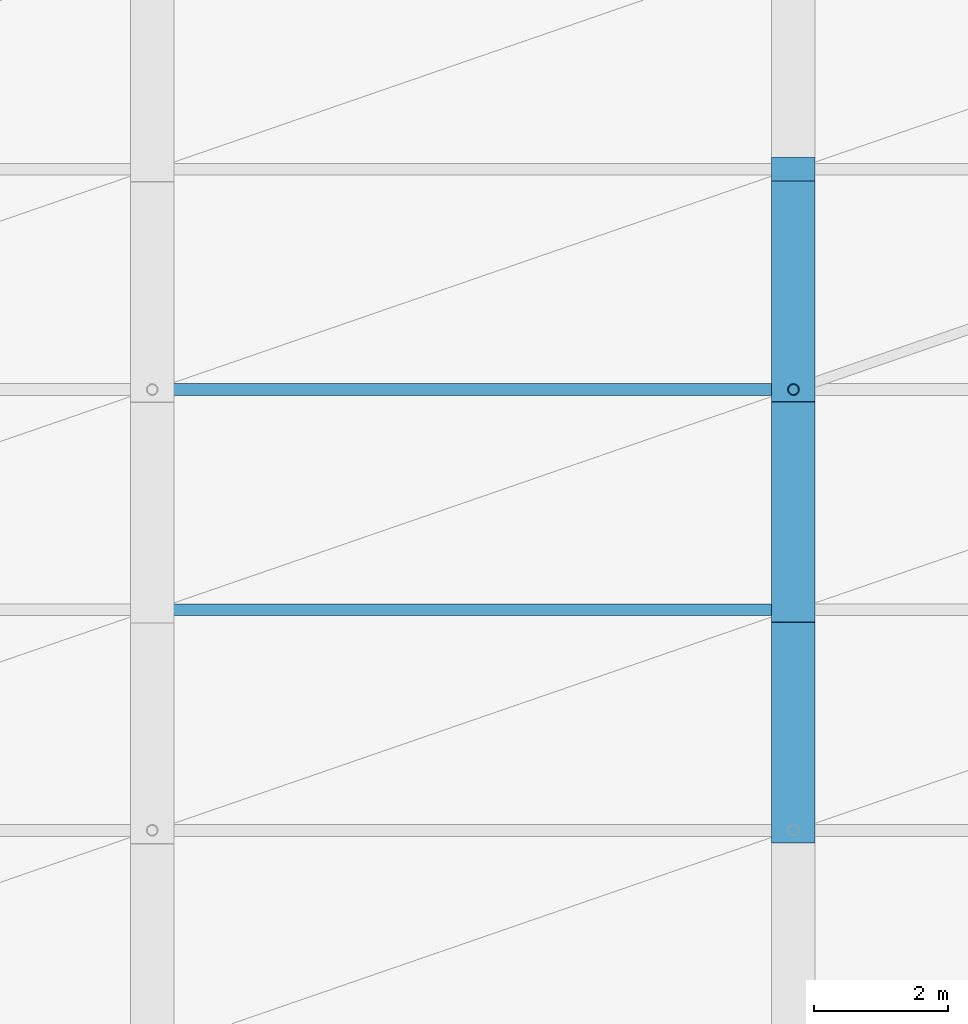
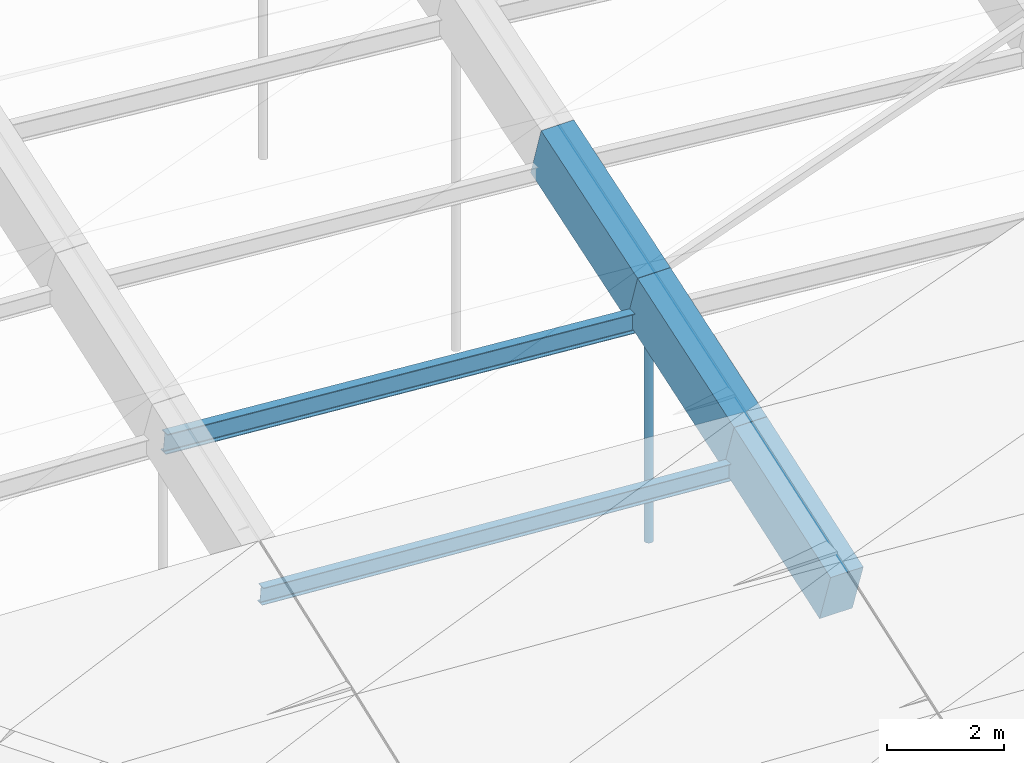
# One storey, part 29 of 43: 3 beams, 3 members.
"""IFC4 building model written with IfcOpenShell, lengths in metres."""

from ifc_helpers import new_model, si_unit, direction, frame, origin, origin_2d, place, context, subcontext, project, spatial, rectangle, hollow_circle, i_section, extrude, material, material_profile, profile_set, type_object, element, save


model = new_model("IFC4")

# Units and contexts
model_context = context("Model", 3, precision=1e-05, world=origin(), true_north=direction((0.0, 1.0)))
body_context = subcontext(model_context, "Body", "Model", "MODEL_VIEW")
ifc_project = project(units=[si_unit("LENGTHUNIT", "METRE"), si_unit("AREAUNIT", "SQUARE_METRE"), si_unit("VOLUMEUNIT", "CUBIC_METRE"), si_unit("PLANEANGLEUNIT", "RADIAN"), si_unit("MASSUNIT", "GRAM", prefix="KILO")], contexts=[model_context])

# Site, building, storey
site_placement = place(None, origin())
site = spatial("IfcSite", under=ifc_project, at=site_placement, CompositionType="ELEMENT")
building_placement = place(site_placement, origin())
building = spatial("IfcBuilding", under=site, at=building_placement, Name="Chalmorin Arch Market", CompositionType="ELEMENT")
storey_placement = place(building_placement, frame((0.0, 0.0, 18.60009765625)))
storey = spatial("IfcBuildingStorey", under=building, at=storey_placement, Name="RF", CompositionType="ELEMENT", Elevation=18.60009765625)

# Member
ifc_material_1 = material(Name="Steel A500 Grade C", Category="steel")
ifc_material_profile_1 = material_profile(ifc_material_1, hollow_circle(Radius=0.084228515625, WallThickness=0.007080078125, at=origin_2d()), Name="CHS168X7")
ifc_profile_set_1 = profile_set([ifc_material_profile_1], Name="Steel A500 Grade C")
member_type_1 = type_object("IfcMemberType", Name="ArchHangerTie-CHS168", PredefinedType="CHORD", material=ifc_profile_set_1)
member_1_placement = place(storey_placement, frame((115.199951171875, 19.199951171875, -3.283447265625), z_axis=(0.0, 0.0, 1.0), x_axis=(1.0, 0.0, 0.0)))
element("IfcMember", 1, at=member_1_placement, inside=storey, type_object=member_type_1, Name="HT-CH168-0178", PredefinedType="CHORD", context=body_context, shape_type="SweptSolid", body=[
    extrude(hollow_circle(Radius=0.084228515625, WallThickness=0.007080078125, at=origin_2d()), origin(), (0.0, 0.0, 1.0), 5.154052734375),
])

# Beams
ifc_material_2 = material(Name="Concrete C50/60", Category="concrete")
ifc_material_profile_2 = material_profile(ifc_material_2, rectangle(XDim=0.64990234375, YDim=1.14990234375, at=origin_2d()), Name="RC650X1150")
ifc_profile_set_2 = profile_set([ifc_material_profile_2], Name="Concrete C50/60")
beam_type = type_object("IfcBeamType", Name="ArchRibChord-650x1150", PredefinedType="BEAM", material=ifc_profile_set_2)
beam_1_placement = place(storey_placement, frame((115.199951171875, 12.60009765625, -0.376708984375), z_axis=(0.0, 0.945409398933, 0.325885053983), x_axis=(-1.0, 0.0, 0.0)))
element("IfcBeam", 2, at=beam_1_placement, inside=storey, type_object=beam_type, Name="AR-01-1720", PredefinedType="BEAM", context=body_context, shape_type="SweptSolid", body=[
    extrude(rectangle(XDim=0.64990234375, YDim=1.14990234375, at=origin_2d()), origin(), (0.0, 0.0, 1.0), 3.490234375),
])
beam_2_placement = place(storey_placement, frame((115.199951171875, 15.89990234375, 0.7607421875), z_axis=(0.0, 0.947831413915, 0.318772035781), x_axis=(-1.0, 0.0, 0.0)))
element("IfcBeam", 3, at=beam_2_placement, inside=storey, type_object=beam_type, Name="AR-01-1721", PredefinedType="BEAM", context=body_context, shape_type="SweptSolid", body=[
    extrude(rectangle(XDim=0.64990234375, YDim=1.14990234375, at=origin_2d()), origin(), (0.0, 0.0, 1.0), 3.481689453125),
])
beam_3_placement = place(storey_placement, frame((115.199951171875, 19.199951171875, 1.87060546875), z_axis=(0.0, 0.950183815663, 0.311690096815), x_axis=(-1.0, 0.0, 0.0)))
element("IfcBeam", 4, at=beam_3_placement, inside=storey, type_object=beam_type, Name="AR-01-1722", PredefinedType="BEAM", context=body_context, shape_type="SweptSolid", body=[
    extrude(rectangle(XDim=0.64990234375, YDim=1.14990234375, at=origin_2d()), origin(), (0.0, 0.0, 1.0), 3.47314453125),
])

# Members
ifc_material_3 = material(Name="Steel A992 Grade 50", Category="steel")
ifc_material_profile_3 = material_profile(ifc_material_3, i_section(OverallWidth=0.1708984375, OverallDepth=0.35107421875, WebThickness=0.0068359375, FlangeThickness=0.009765625, FilletRadius=0.014892578125, at=origin_2d()), Name="W14X30")
ifc_profile_set_3 = profile_set([ifc_material_profile_3], Name="Steel A992 Grade 50")
member_type_2 = type_object("IfcMemberType", Name="RoofSteelPurlin-W14X30", PredefinedType="PURLIN", material=ifc_profile_set_3)
member_2_placement = place(storey_placement, frame((105.6201171875, 15.89990234375, 0.94482421875), z_axis=(0.997596075775, 0.0, -0.069296966726), x_axis=(0.0, 1.0, 0.0)))
element("IfcMember", 5, at=member_2_placement, inside=storey, type_object=member_type_2, Name="PR-W14-0301", PredefinedType="PURLIN", context=body_context, shape_type="SweptSolid", body=[
    extrude(i_section(OverallWidth=0.1708984375, OverallDepth=0.35107421875, WebThickness=0.0068359375, FlangeThickness=0.009765625, FilletRadius=0.014892578125, at=origin_2d()), origin(), (0.0, 0.0, 1.0), 9.582763671875),
])
ifc_material_profile_4 = material_profile(ifc_material_3, i_section(OverallWidth=0.178955078125, OverallDepth=0.409912109375, WebThickness=0.0087890625, FlangeThickness=0.014404296875, FilletRadius=0.01806640625, at=origin_2d()), Name="W16X45")
ifc_profile_set_4 = profile_set([ifc_material_profile_4], Name="Steel A992 Grade 50")
member_type_3 = type_object("IfcMemberType", Name="RoofSteelPurlin-W16X45", PredefinedType="PURLIN", material=ifc_profile_set_4)
member_3_placement = place(storey_placement, frame((105.6201171875, 19.199951171875, 2.126708984375), z_axis=(0.99704879106, 0.0, -0.076770490718), x_axis=(0.0, 1.0, 0.0)))
element("IfcMember", 6, at=member_3_placement, inside=storey, type_object=member_type_3, Name="PR-W16-0302", PredefinedType="PURLIN", context=body_context, shape_type="SweptSolid", body=[
    extrude(i_section(OverallWidth=0.178955078125, OverallDepth=0.409912109375, WebThickness=0.0087890625, FlangeThickness=0.014404296875, FilletRadius=0.01806640625, at=origin_2d()), origin(), (0.0, 0.0, 1.0), 9.588134765625),
])

save(model, "model.ifc")
